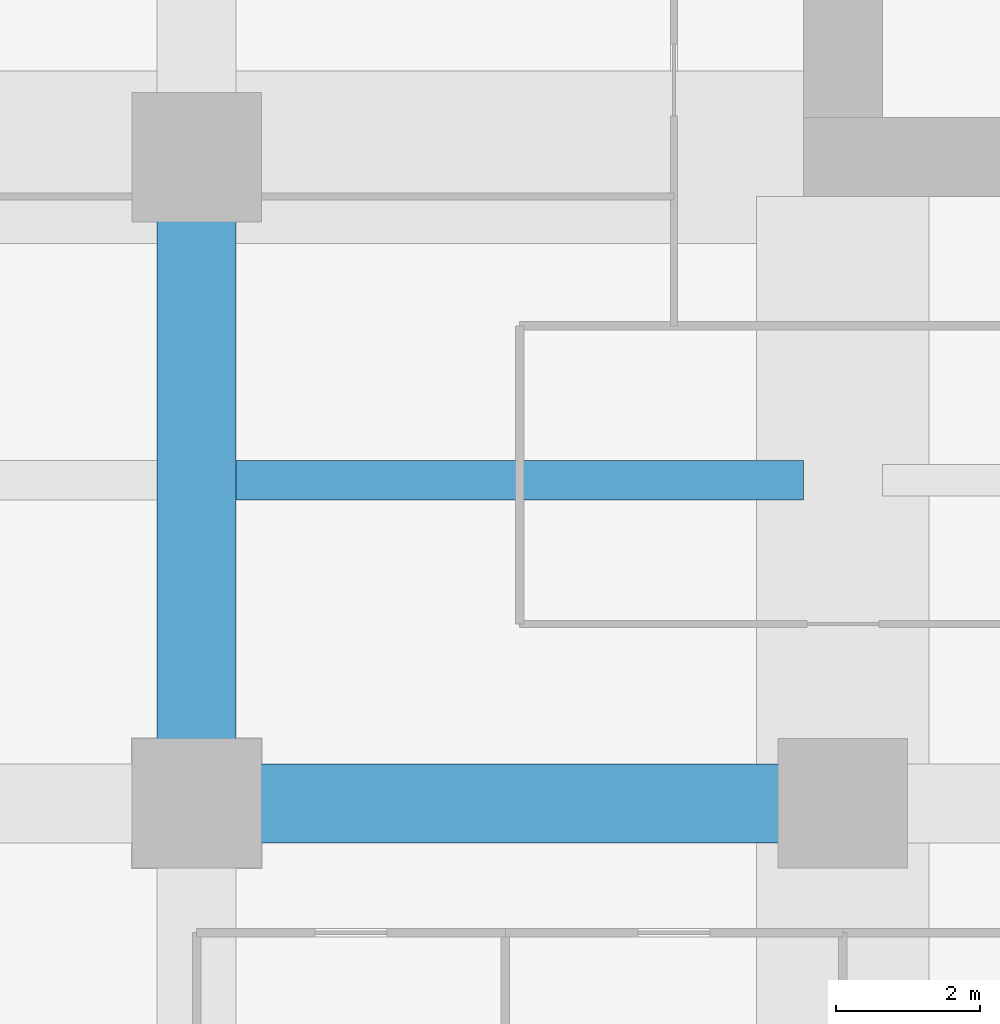
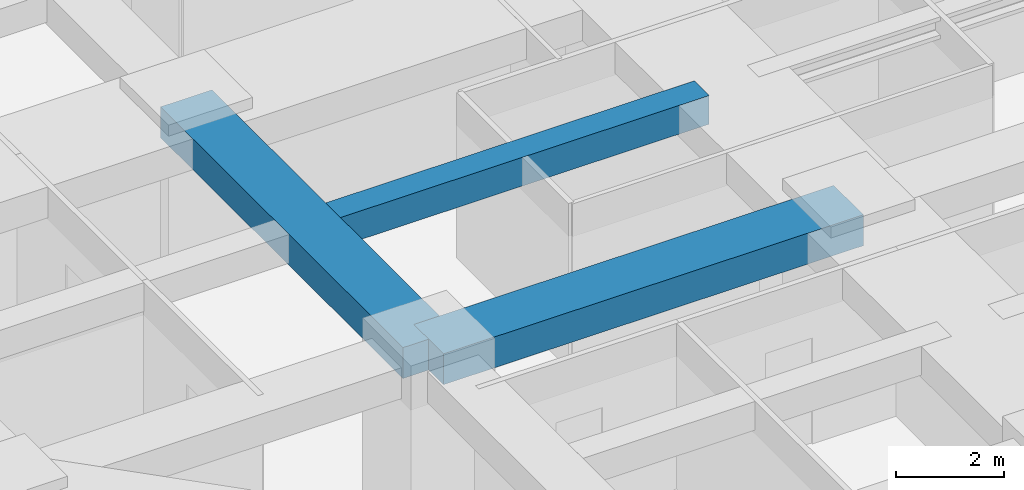
# One storey, part 5 of 43: 3 beams.
"""IFC4 building model written with IfcOpenShell, lengths in metres."""

from ifc_helpers import new_model, si_unit, direction, frame, origin, origin_2d, place, context, subcontext, project, spatial, rectangle, extrude, material, material_profile, profile_set, type_object, element, save


model = new_model("IFC4")

# Units and contexts
model_context = context("Model", 3, precision=1e-05, world=origin(), true_north=direction((0.0, 1.0)))
body_context = subcontext(model_context, "Body", "Model", "MODEL_VIEW")
ifc_project = project(units=[si_unit("LENGTHUNIT", "METRE"), si_unit("AREAUNIT", "SQUARE_METRE"), si_unit("VOLUMEUNIT", "CUBIC_METRE"), si_unit("PLANEANGLEUNIT", "RADIAN"), si_unit("MASSUNIT", "GRAM", prefix="KILO")], contexts=[model_context])

# Site, building, storey
site_placement = place(None, origin())
site = spatial("IfcSite", under=ifc_project, at=site_placement, CompositionType="ELEMENT")
building_placement = place(site_placement, origin())
building = spatial("IfcBuilding", under=site, at=building_placement, Name="Zorevar Civic Tower", CompositionType="ELEMENT")
storey_placement = place(building_placement, frame((0.0, 0.0, 145.0)))
storey = spatial("IfcBuildingStorey", under=building, at=storey_placement, Name="L35", CompositionType="ELEMENT", Elevation=145.0)

# Beams
ifc_material_1 = material(Name="Concrete C50/60", Category="concrete")
ifc_material_profile_1 = material_profile(ifc_material_1, rectangle(XDim=1.10009765625, YDim=0.699951171875, at=origin_2d()), Name="RC 1100x700")
ifc_profile_set_1 = profile_set([ifc_material_profile_1], Name="Concrete C50/60")
beam_type_1 = type_object("IfcBeamType", Name="Beam RC 1100x700", PredefinedType="BEAM", material=ifc_profile_set_1)
for number, where, z_axis, x_axis, name in (
    (1, (9.0, 9.0, 3.39990234375), (1.0, 0.0, 0.0), (0.0, 1.0, 0.0), "Girder L36"),
    (2, (9.0, 9.0, 3.39990234375), (0.0, 1.0, 0.0), (-1.0, 0.0, 0.0), "Girder L36"),
):
    element("IfcBeam", number, at=place(storey_placement, frame(where, z_axis=z_axis, x_axis=x_axis)), inside=storey, type_object=beam_type_1, Name=name, PredefinedType="BEAM", context=body_context, shape_type="SweptSolid", body=[
        extrude(rectangle(XDim=1.10009765625, YDim=0.699951171875, at=origin_2d()), origin(), (0.0, 0.0, 1.0), 9.0),
    ])
ifc_material_2 = material(Name="Concrete C50/60", Category="concrete")
ifc_material_profile_2 = material_profile(ifc_material_2, rectangle(XDim=0.550048828125, YDim=0.64990234375, at=origin_2d()), Name="RC 550x650")
ifc_profile_set_2 = profile_set([ifc_material_profile_2], Name="Concrete C50/60")
beam_type_2 = type_object("IfcBeamType", Name="Beam RC 550x650", PredefinedType="BEAM", material=ifc_profile_set_2)
beam_placement = place(storey_placement, frame((9.550048828125, 13.5, 3.425048828125), z_axis=(1.0, 0.0, 0.0), x_axis=(0.0, 1.0, 0.0)))
element("IfcBeam", 3, at=beam_placement, inside=storey, type_object=beam_type_2, Name="Secondary beam L36", PredefinedType="BEAM", context=body_context, shape_type="SweptSolid", body=[
    extrude(rectangle(XDim=0.550048828125, YDim=0.64990234375, at=origin_2d()), origin(), (0.0, 0.0, 1.0), 7.89990234375),
])

save(model, "model.ifc")
